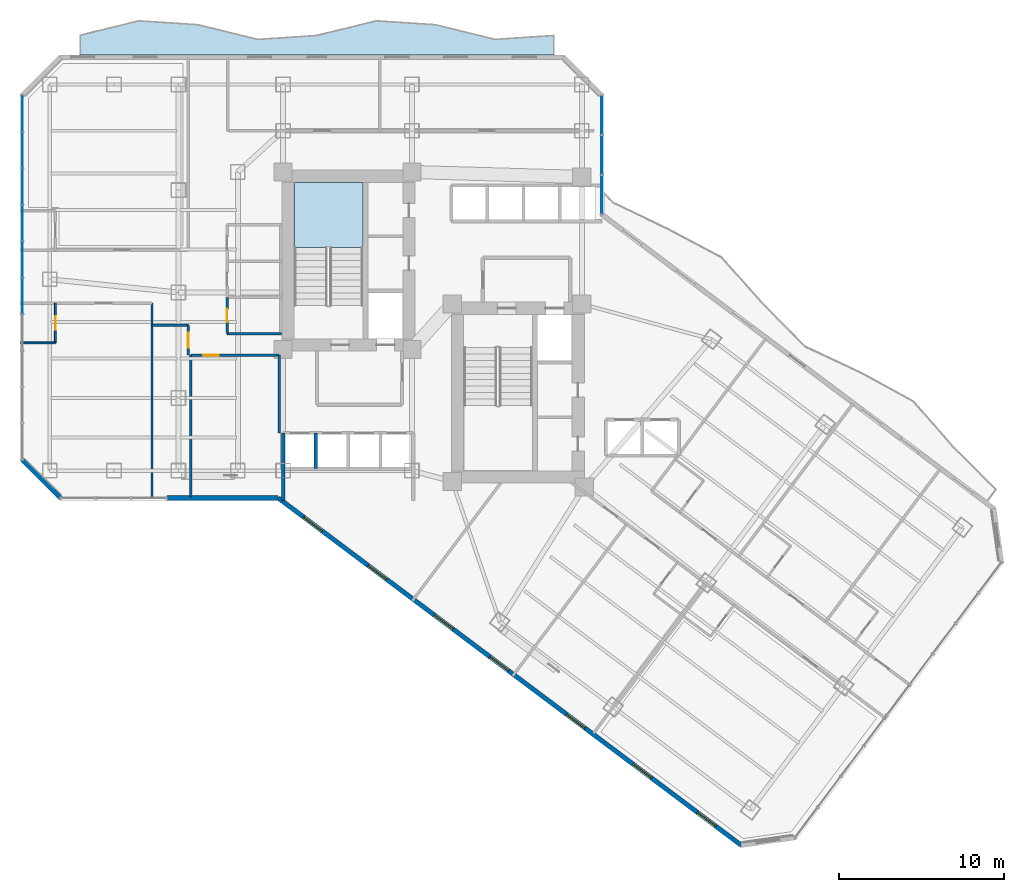
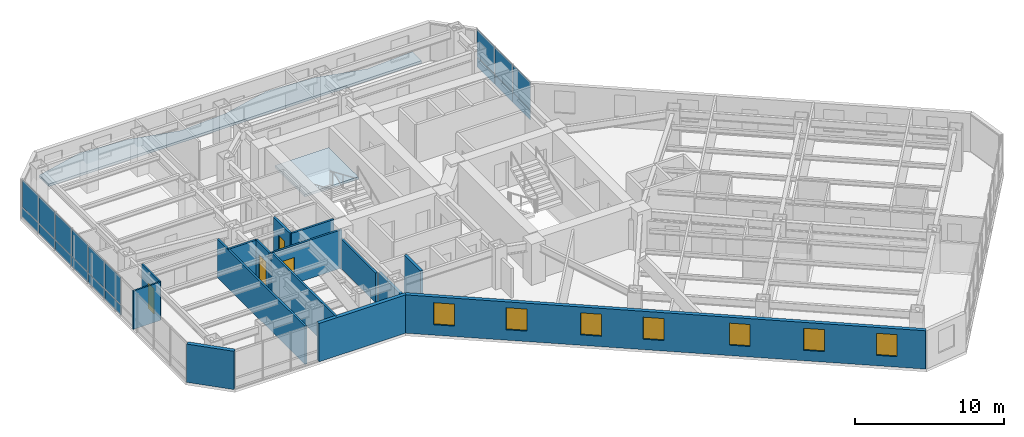
# One storey, part 23 of 31: 18 plates, 15 walls, 7 windows, 4 doors, 2 slabs, 11 openings, 3 elements without a shape of their own.
"""IFC4 building model written with IfcOpenShell, lengths in metres."""

from ifc_helpers import new_model, si_unit, direction, frame, frame_2d, origin, origin_2d, place, context, subcontext, project, spatial, polyline, rectangle, outline, extrude, material, layer, layer_set, type_object, element, fill, aggregate, save


model = new_model("IFC4")

# Units and contexts
model_context = context("Model", 3, precision=1e-05, world=origin(), true_north=direction((0.0, 1.0)))
body_context = subcontext(model_context, "Body", "Model", "MODEL_VIEW")
ifc_project = project(units=[si_unit("LENGTHUNIT", "METRE"), si_unit("AREAUNIT", "SQUARE_METRE"), si_unit("VOLUMEUNIT", "CUBIC_METRE"), si_unit("PLANEANGLEUNIT", "RADIAN"), si_unit("MASSUNIT", "GRAM", prefix="KILO")], contexts=[model_context])

# Site, building, storey
site_placement = place(None, origin())
site = spatial("IfcSite", under=ifc_project, at=site_placement, CompositionType="ELEMENT")
building_placement = place(site_placement, origin())
building = spatial("IfcBuilding", under=site, at=building_placement, Name="Hatsunagi Terrace Concourse", CompositionType="ELEMENT")
storey_placement = place(building_placement, frame((0.0, 0.0, 77.949951171875)))
storey = spatial("IfcBuildingStorey", under=building, at=storey_placement, Name="L20", CompositionType="ELEMENT", Elevation=77.949951171875)

# Curtain wall, plates
ifc_material_1 = material(Name="Anodised Aluminium Alloy 6063-T5", Category="aluminium")
ifc_layer_1 = layer(ifc_material_1, 0.199951171875)
ifc_layer_set_1 = layer_set([ifc_layer_1], Name="HotelFacade_CW02")
curtain_wall_type = type_object("IfcCurtainWallType", Name="HotelFacade_CW02", PredefinedType="NOTDEFINED", material=ifc_layer_set_1)
curtain_wall_1_placement = place(storey_placement, origin())
curtain_wall_1 = element("IfcCurtainWall", 1, at=curtain_wall_1_placement, inside=storey, type_object=curtain_wall_type, Name="Unitised Curtain Wall CW-02 CW-L20-09", PredefinedType="NOTDEFINED")
ifc_material_2 = material(Name="Warm Terracotta Ceramic Spandrel Panel", Category="masonry")
ifc_layer_2 = layer(ifc_material_2, 0.031982421875)
ifc_layer_set_2 = layer_set([ifc_layer_2], Name="CurtainWallSpandrelPanel_32")
plate_type_1 = type_object("IfcPlateType", Name="CurtainWallSpandrelPanel_32", PredefinedType="SHEET", material=ifc_layer_set_2)
plate_1_placement = place(storey_placement, frame((9.739990234375, 35.7958984375, 0.030029296875), z_axis=(0.0, 0.0, 1.0), x_axis=(0.0, 1.0, 0.0)))
plate_1 = element("IfcPlate", 2, at=plate_1_placement, type_object=plate_type_1, Name="Terracotta Spandrel Panel SPN-01", PredefinedType="SHEET", context=body_context, shape_type="SweptSolid", body=[
    extrude(rectangle(XDim=2.153076171875, YDim=0.031982421875, at=origin_2d()), origin(), (0.0, 0.0, 1.0), 0.7900390625),
])
plate_2_placement = place(storey_placement, frame((9.739990234375, 38.00390625, 0.030029296875), z_axis=(0.0, 0.0, 1.0), x_axis=(0.0, 1.0, 0.0)))
plate_2 = element("IfcPlate", 3, at=plate_2_placement, type_object=plate_type_1, Name="Terracotta Spandrel Panel SPN-01", PredefinedType="SHEET", context=body_context, shape_type="SweptSolid", body=[
    extrude(rectangle(XDim=2.153076171875, YDim=0.031982421875, at=origin_2d()), origin(), (0.0, 0.0, 1.0), 0.7900390625),
])
plate_3_placement = place(storey_placement, frame((9.739990234375, 40.212890625, 0.030029296875), z_axis=(0.0, 0.0, 1.0), x_axis=(0.0, 1.0, 0.0)))
plate_3 = element("IfcPlate", 4, at=plate_3_placement, type_object=plate_type_1, Name="Terracotta Spandrel Panel SPN-01", PredefinedType="SHEET", context=body_context, shape_type="SweptSolid", body=[
    extrude(rectangle(XDim=2.153076171875, YDim=0.031982421875, at=origin_2d()), origin(), (0.0, 0.0, 1.0), 0.7900390625),
])
plate_4_placement = place(storey_placement, frame((9.739990234375, 42.4208984375, 0.030029296875), z_axis=(0.0, 0.0, 1.0), x_axis=(0.0, 1.0, 0.0)))
plate_4 = element("IfcPlate", 5, at=plate_4_placement, type_object=plate_type_1, Name="Terracotta Spandrel Panel SPN-01", PredefinedType="SHEET", context=body_context, shape_type="SweptSolid", body=[
    extrude(rectangle(XDim=2.153076171875, YDim=0.031982421875, at=origin_2d()), origin(), (0.0, 0.0, 1.0), 0.7900390625),
])
plate_5_placement = place(storey_placement, frame((9.739990234375, 44.62890625, 0.030029296875), z_axis=(0.0, 0.0, 1.0), x_axis=(0.0, 1.0, 0.0)))
plate_5 = element("IfcPlate", 6, at=plate_5_placement, type_object=plate_type_1, Name="Terracotta Spandrel Panel SPN-01", PredefinedType="SHEET", context=body_context, shape_type="SweptSolid", body=[
    extrude(rectangle(XDim=2.153076171875, YDim=0.031982421875, at=origin_2d()), origin(), (0.0, 0.0, 1.0), 0.7900390625),
])
plate_6_placement = place(storey_placement, frame((9.739990234375, 46.837890625, 0.030029296875), z_axis=(0.0, 0.0, 1.0), x_axis=(0.0, 1.0, 0.0)))
plate_6 = element("IfcPlate", 7, at=plate_6_placement, type_object=plate_type_1, Name="Terracotta Spandrel Panel SPN-01", PredefinedType="SHEET", context=body_context, shape_type="SweptSolid", body=[
    extrude(rectangle(XDim=2.153076171875, YDim=0.031982421875, at=origin_2d()), origin(), (0.0, 0.0, 1.0), 0.7900390625),
])

curtain_wall_2_placement = place(storey_placement, origin())
curtain_wall_2 = element("IfcCurtainWall", 8, at=curtain_wall_2_placement, inside=storey, type_object=curtain_wall_type, Name="Unitised Curtain Wall CW-02 CW-L20-13", PredefinedType="NOTDEFINED")
plate_7_placement = place(storey_placement, frame((44.860107421875, 46.739990234375, 0.030029296875), z_axis=(0.0, 0.0, 1.0), x_axis=(0.0, -1.0, 0.0)))
plate_7 = element("IfcPlate", 9, at=plate_7_placement, type_object=plate_type_1, Name="Terracotta Spandrel Panel SPN-01", PredefinedType="SHEET", context=body_context, shape_type="SweptSolid", body=[
    extrude(rectangle(XDim=2.34912109375, YDim=0.031982421875, at=origin_2d()), origin(), (0.0, 0.0, 1.0), 0.7900390625),
])
plate_8_placement = place(storey_placement, frame((44.860107421875, 44.3359375, 0.030029296875), z_axis=(0.0, 0.0, 1.0), x_axis=(0.0, -1.0, 0.0)))
plate_8 = element("IfcPlate", 10, at=plate_8_placement, type_object=plate_type_1, Name="Terracotta Spandrel Panel SPN-01", PredefinedType="SHEET", context=body_context, shape_type="SweptSolid", body=[
    extrude(rectangle(XDim=2.34912109375, YDim=0.031982421875, at=origin_2d()), origin(), (0.0, 0.0, 1.0), 0.7900390625),
])
plate_9_placement = place(storey_placement, frame((44.860107421875, 41.931884765625, 0.030029296875), z_axis=(0.0, 0.0, 1.0), x_axis=(0.0, -1.0, 0.0)))
plate_9 = element("IfcPlate", 11, at=plate_9_placement, type_object=plate_type_1, Name="Terracotta Spandrel Panel SPN-01", PredefinedType="SHEET", context=body_context, shape_type="SweptSolid", body=[
    extrude(rectangle(XDim=2.34912109375, YDim=0.031982421875, at=origin_2d()), origin(), (0.0, 0.0, 1.0), 0.7900390625),
])

# Plate
ifc_material_3 = material(Name="Low-E Double Insulating Glass 28mm", Category="glass")
ifc_layer_3 = layer(ifc_material_3, 0.028076171875)
ifc_layer_set_3 = layer_set([ifc_layer_3], Name="CurtainWallVisionGlass_28")
plate_type_2 = type_object("IfcPlateType", Name="CurtainWallVisionGlass_28", PredefinedType="CURTAIN_PANEL", material=ifc_layer_set_3)
plate_10_placement = place(storey_placement, frame((9.739990234375, 35.7958984375, 0.8798828125), z_axis=(0.0, 0.0, 1.0), x_axis=(0.0, 1.0, 0.0)))
plate_10 = element("IfcPlate", 12, at=plate_10_placement, type_object=plate_type_2, Name="Low-E Vision Glass Panel GLZ-01", PredefinedType="CURTAIN_PANEL", context=body_context, shape_type="SweptSolid", body=[
    extrude(rectangle(XDim=2.153076171875, YDim=0.028076171875, at=origin_2d()), origin(), (0.0, 0.0, 1.0), 2.219970703125),
])

plate_11_placement = place(storey_placement, frame((9.739990234375, 38.00390625, 0.8798828125), z_axis=(0.0, 0.0, 1.0), x_axis=(0.0, 1.0, 0.0)))
plate_11 = element("IfcPlate", 13, at=plate_11_placement, type_object=plate_type_2, Name="Low-E Vision Glass Panel GLZ-01", PredefinedType="CURTAIN_PANEL", context=body_context, shape_type="SweptSolid", body=[
    extrude(rectangle(XDim=2.153076171875, YDim=0.028076171875, at=origin_2d()), origin(), (0.0, 0.0, 1.0), 2.219970703125),
])

plate_12_placement = place(storey_placement, frame((9.739990234375, 40.212890625, 0.8798828125), z_axis=(0.0, 0.0, 1.0), x_axis=(0.0, 1.0, 0.0)))
plate_12 = element("IfcPlate", 14, at=plate_12_placement, type_object=plate_type_2, Name="Low-E Vision Glass Panel GLZ-01", PredefinedType="CURTAIN_PANEL", context=body_context, shape_type="SweptSolid", body=[
    extrude(rectangle(XDim=2.153076171875, YDim=0.028076171875, at=origin_2d()), origin(), (0.0, 0.0, 1.0), 2.219970703125),
])

plate_13_placement = place(storey_placement, frame((9.739990234375, 42.4208984375, 0.8798828125), z_axis=(0.0, 0.0, 1.0), x_axis=(0.0, 1.0, 0.0)))
plate_13 = element("IfcPlate", 15, at=plate_13_placement, type_object=plate_type_2, Name="Low-E Vision Glass Panel GLZ-01", PredefinedType="CURTAIN_PANEL", context=body_context, shape_type="SweptSolid", body=[
    extrude(rectangle(XDim=2.153076171875, YDim=0.028076171875, at=origin_2d()), origin(), (0.0, 0.0, 1.0), 2.219970703125),
])

plate_14_placement = place(storey_placement, frame((9.739990234375, 44.62890625, 0.8798828125), z_axis=(0.0, 0.0, 1.0), x_axis=(0.0, 1.0, 0.0)))
plate_14 = element("IfcPlate", 16, at=plate_14_placement, type_object=plate_type_2, Name="Low-E Vision Glass Panel GLZ-01", PredefinedType="CURTAIN_PANEL", context=body_context, shape_type="SweptSolid", body=[
    extrude(rectangle(XDim=2.153076171875, YDim=0.028076171875, at=origin_2d()), origin(), (0.0, 0.0, 1.0), 2.219970703125),
])

plate_15_placement = place(storey_placement, frame((9.739990234375, 46.837890625, 0.8798828125), z_axis=(0.0, 0.0, 1.0), x_axis=(0.0, 1.0, 0.0)))
plate_15 = element("IfcPlate", 17, at=plate_15_placement, type_object=plate_type_2, Name="Low-E Vision Glass Panel GLZ-01", PredefinedType="CURTAIN_PANEL", context=body_context, shape_type="SweptSolid", body=[
    extrude(rectangle(XDim=2.153076171875, YDim=0.028076171875, at=origin_2d()), origin(), (0.0, 0.0, 1.0), 2.219970703125),
])

aggregate(curtain_wall_1, [plate_1, plate_10, plate_2, plate_11, plate_3, plate_12, plate_4, plate_13, plate_5, plate_14, plate_6, plate_15])

plate_16_placement = place(storey_placement, frame((44.860107421875, 46.739990234375, 0.8798828125), z_axis=(0.0, 0.0, 1.0), x_axis=(0.0, -1.0, 0.0)))
plate_16 = element("IfcPlate", 18, at=plate_16_placement, type_object=plate_type_2, Name="Low-E Vision Glass Panel GLZ-01", PredefinedType="CURTAIN_PANEL", context=body_context, shape_type="SweptSolid", body=[
    extrude(rectangle(XDim=2.34912109375, YDim=0.028076171875, at=origin_2d()), origin(), (0.0, 0.0, 1.0), 2.219970703125),
])

plate_17_placement = place(storey_placement, frame((44.860107421875, 44.3359375, 0.8798828125), z_axis=(0.0, 0.0, 1.0), x_axis=(0.0, -1.0, 0.0)))
plate_17 = element("IfcPlate", 19, at=plate_17_placement, type_object=plate_type_2, Name="Low-E Vision Glass Panel GLZ-01", PredefinedType="CURTAIN_PANEL", context=body_context, shape_type="SweptSolid", body=[
    extrude(rectangle(XDim=2.34912109375, YDim=0.028076171875, at=origin_2d()), origin(), (0.0, 0.0, 1.0), 2.219970703125),
])

plate_18_placement = place(storey_placement, frame((44.860107421875, 41.931884765625, 0.8798828125), z_axis=(0.0, 0.0, 1.0), x_axis=(0.0, -1.0, 0.0)))
plate_18 = element("IfcPlate", 20, at=plate_18_placement, type_object=plate_type_2, Name="Low-E Vision Glass Panel GLZ-01", PredefinedType="CURTAIN_PANEL", context=body_context, shape_type="SweptSolid", body=[
    extrude(rectangle(XDim=2.34912109375, YDim=0.028076171875, at=origin_2d()), origin(), (0.0, 0.0, 1.0), 2.219970703125),
])

aggregate(curtain_wall_2, [plate_7, plate_16, plate_8, plate_17, plate_9, plate_18])

# Stair, slab
ifc_material_4 = material(Name="Concrete Fc42", Category="concrete")
stair_type = type_object("IfcStairType", Name="DoglegExitStair_Tower2000_20R_167", PredefinedType="HALF_TURN_STAIR", material=ifc_material_4)
stair_placement = place(storey_placement, origin())
stair = element("IfcStair", 21, at=stair_placement, inside=storey, type_object=stair_type, Name="L20 Core A Protected Exit Stair ST-A", PredefinedType="HALF_TURN_STAIR")
ifc_material_5 = material(Name="Concrete Fc42", Category="concrete")
ifc_layer_4 = layer(ifc_material_5, 0.199951171875)
ifc_layer_set_4 = layer_set([ifc_layer_4], Name="DoglegStairLanding_Tower2000")
slab_type_1 = type_object("IfcSlabType", Name="DoglegStairLanding_Tower2000", PredefinedType="LANDING", material=ifc_layer_set_4)
slab_1_placement = place(storey_placement, frame((0.0, 0.0, 1.47509765625)))
slab_1 = element("IfcSlab", 22, at=slab_1_placement, type_object=slab_type_1, Name="ST-A landing 1", PredefinedType="LANDING", context=body_context, shape_type="SweptSolid", body=[
    extrude(outline(polyline([(30.3798828125, 38.7099609375), (30.3798828125, 42.659912109375), (26.22998046875, 42.659912109375), (26.22998046875, 38.7099609375), (30.3798828125, 38.7099609375)])), origin(), (0.0, 0.0, 1.0), 0.199951171875),
])
aggregate(stair, [slab_1])

# Slab
ifc_material_6 = material(Name="Concrete Fc42", Category="concrete")
ifc_layer_5 = layer(ifc_material_6, 0.199951171875)
ifc_layer_set_5 = layer_set([ifc_layer_5], Name="EngawaBalconySlab_Fc42_200")
slab_type_2 = type_object("IfcSlabType", Name="EngawaBalconySlab_Fc42_200", PredefinedType="FLOOR", material=ifc_layer_set_5)
slab_2_placement = place(storey_placement, frame((0.0, 0.0, -0.199951171875)))
element("IfcSlab", 23, at=slab_2_placement, inside=storey, type_object=slab_type_2, Name="Engawa Balcony Slab BAL-L20-BN", PredefinedType="FLOOR", context=body_context, shape_type="SweptSolid", body=[
    extrude(outline(polyline([(13.199951171875, 51.625), (13.199951171875, 50.39990234375), (42.0, 50.39990234375), (42.0, 51.625), (38.39990234375, 51.386962890625), (34.800048828125, 52.27490234375), (31.199951171875, 52.512939453125), (27.60009765625, 51.625), (24.0, 51.386962890625), (20.39990234375, 52.27490234375), (16.800048828125, 52.512939453125), (13.199951171875, 51.625)])), origin(), (0.0, 0.0, 1.0), 0.199951171875),
])

# Wall, opening, door
ifc_material_7 = material(Name="Acoustic mineral board", Category="gypsum")
ifc_layer_6 = layer(ifc_material_7, 0.1201171875)
ifc_layer_set_6 = layer_set([ifc_layer_6], Name="PartitionWall_EI30_120")
wall_type_1 = type_object("IfcWallType", Name="PartitionWall_EI30_120", PredefinedType="PARTITIONING", material=ifc_layer_set_6)
wall_1_placement = place(storey_placement, frame((11.75, 32.949951171875, 0.0), z_axis=(0.0, 0.0, 1.0), x_axis=(0.0, 1.0, 0.0)))
wall_1 = element("IfcWall", 24, at=wall_1_placement, inside=storey, type_object=wall_type_1, Name="Interior Partition IW-L20-054", PredefinedType="PARTITIONING", context=body_context, shape_type="SweptSolid", body=[
    extrude(rectangle(XDim=2.400146484375, YDim=0.1201171875, at=frame_2d((1.2001953125, 0.0))), origin(), (0.0, 0.0, 1.0), 3.130126953125),
])
opening_1_placement = place(wall_1_placement, frame((0.800048828125, 0.0, 0.0)))
opening_1 = element("IfcOpeningElement", 25, at=opening_1_placement, cuts=wall_1, Name="Opening DR-080", PredefinedType="OPENING", context=body_context, shape_type="SweptSolid", body=[
    extrude(rectangle(XDim=0.800048828125, YDim=2.06005859375, at=frame_2d((0.39990234375, 1.030029296875))), frame((0.0, 0.070068359375, 0.0), z_axis=(0.0, -1.0, 0.0), x_axis=(1.0, 0.0, 0.0)), (0.0, 0.0, 1.0), 0.14013671875),
])
ifc_material_8 = material(Name="Hardwood timber", Category="wood")
door_type_1 = type_object("IfcDoorType", Name="BathroomDoor_800", OperationType="NOTDEFINED", PredefinedType="DOOR", material=ifc_material_8)
door_1_placement = place(opening_1_placement, origin())
door_1 = element("IfcDoor", 26, at=door_1_placement, inside=storey, type_object=door_type_1, Name="En-Suite Bathroom L20-S1 Door", OperationType="SINGLE_SWING_RIGHT", OverallHeight=2.06005859375, OverallWidth=0.800048828125, PredefinedType="DOOR", context=body_context, shape_type="SweptSolid", body=[
    extrude(rectangle(XDim=0.800048828125, YDim=2.06005859375, at=frame_2d((0.39990234375, 1.030029296875))), frame((0.0, 0.02490234375, 0.0), z_axis=(0.0, -1.0, 0.0), x_axis=(1.0, 0.0, 0.0)), (0.0, 0.0, 1.0), 0.050048828125),
])
fill(opening_1, door_1)

# Walls
wall_2_placement = place(storey_placement, frame((9.639892578125, 32.949951171875, 0.0), z_axis=(0.0, 0.0, 1.0), x_axis=(1.0, 0.0, 0.0)))
element("IfcWall", 27, at=wall_2_placement, inside=storey, type_object=wall_type_1, Name="Interior Partition IW-L20-055", PredefinedType="PARTITIONING", context=body_context, shape_type="SweptSolid", body=[
    extrude(rectangle(XDim=2.110107421875, YDim=0.1201171875, at=frame_2d((1.05517578125, 0.0))), origin(), (0.0, 0.0, 1.0), 3.130126953125),
])
ifc_material_9 = material(Name="Acoustic mineral board", Category="gypsum")
ifc_layer_7 = layer(ifc_material_9, 0.14990234375)
ifc_layer_set_7 = layer_set([ifc_layer_7], Name="PartitionWall_EI60_150")
wall_type_2 = type_object("IfcWallType", Name="PartitionWall_EI60_150", PredefinedType="PARTITIONING", material=ifc_layer_set_7)
wall_3_placement = place(storey_placement, frame((22.14990234375, 33.5, 0.0), z_axis=(0.0, 0.0, 1.0), x_axis=(1.0, 0.0, 0.0)))
element("IfcWall", 28, at=wall_3_placement, inside=storey, type_object=wall_type_2, Name="Interior Partition IW-L20-029", PredefinedType="PARTITIONING", context=body_context, shape_type="SweptSolid", body=[
    extrude(rectangle(XDim=3.300048828125, YDim=0.14990234375, at=frame_2d((1.64990234375, 0.0))), origin(), (0.0, 0.0, 1.0), 3.130126953125),
])

# Wall, opening, door
wall_4_placement = place(storey_placement, frame((22.14990234375, 33.5, 0.0), z_axis=(0.0, 0.0, 1.0), x_axis=(0.0, 1.0, 0.0)))
wall_4 = element("IfcWall", 29, at=wall_4_placement, inside=storey, type_object=wall_type_2, Name="Interior Partition IW-L20-034", PredefinedType="PARTITIONING", context=body_context, shape_type="SweptSolid", body=[
    extrude(rectangle(XDim=2.199951171875, YDim=0.14990234375, at=frame_2d((1.10009765625, 0.0))), origin(), (0.0, 0.0, 1.0), 3.130126953125),
])
opening_2_placement = place(wall_4_placement, frame((0.699951171875, 0.0, 0.0)))
opening_2 = element("IfcOpeningElement", 30, at=opening_2_placement, cuts=wall_4, Name="Opening DR-080", PredefinedType="OPENING", context=body_context, shape_type="SweptSolid", body=[
    extrude(rectangle(XDim=0.800048828125, YDim=2.06005859375, at=frame_2d((0.39990234375, 1.030029296875))), frame((0.0, 0.0849609375, 0.0), z_axis=(0.0, -1.0, 0.0), x_axis=(1.0, 0.0, 0.0)), (0.0, 0.0, 1.0), 0.169921875),
])
door_2_placement = place(opening_2_placement, origin())
door_2 = element("IfcDoor", 31, at=door_2_placement, inside=storey, type_object=door_type_1, Name="Accessible WC Door L20", OperationType="SINGLE_SWING_RIGHT", OverallHeight=2.06005859375, OverallWidth=0.800048828125, PredefinedType="DOOR", context=body_context, shape_type="SweptSolid", body=[
    extrude(rectangle(XDim=0.800048828125, YDim=2.06005859375, at=frame_2d((0.39990234375, 1.030029296875))), frame((0.0, 0.02490234375, 0.0), z_axis=(0.0, -1.0, 0.0), x_axis=(1.0, 0.0, 0.0)), (0.0, 0.0, 1.0), 0.050048828125),
])
fill(opening_2, door_2)

wall_5_placement = place(storey_placement, frame((19.949951171875, 32.199951171875, 0.0), z_axis=(0.0, 0.0, 1.0), x_axis=(1.0, 0.0, 0.0)))
wall_5 = element("IfcWall", 32, at=wall_5_placement, inside=storey, type_object=wall_type_2, Name="Interior Partition IW-L20-044", PredefinedType="PARTITIONING", context=body_context, shape_type="SweptSolid", body=[
    extrude(rectangle(XDim=5.35009765625, YDim=0.14990234375, at=frame_2d((2.675048828125, 0.0))), origin(), (0.0, 0.0, 1.0), 3.130126953125),
])
opening_3_placement = place(wall_5_placement, frame((0.743896484375, 0.0, 0.0)))
opening_3 = element("IfcOpeningElement", 33, at=opening_3_placement, cuts=wall_5, Name="Opening DR-095", PredefinedType="OPENING", context=body_context, shape_type="SweptSolid", body=[
    extrude(rectangle(XDim=0.949951171875, YDim=2.14990234375, at=frame_2d((0.47509765625, 1.074951171875))), frame((0.0, 0.0849609375, 0.0), z_axis=(0.0, -1.0, 0.0), x_axis=(1.0, 0.0, 0.0)), (0.0, 0.0, 1.0), 0.169921875),
])
ifc_material_10 = material(Name="Hardwood timber", Category="wood")
door_type_2 = type_object("IfcDoorType", Name="InteriorSuiteDoor_EI30_950", OperationType="NOTDEFINED", PredefinedType="DOOR", material=ifc_material_10)
door_3_placement = place(opening_3_placement, origin())
door_3 = element("IfcDoor", 34, at=door_3_placement, inside=storey, type_object=door_type_2, Name="Hotel Wellness Spa L20-HSPA Door", OperationType="SINGLE_SWING_LEFT", OverallHeight=2.14990234375, OverallWidth=0.949951171875, PredefinedType="DOOR", context=body_context, shape_type="SweptSolid", body=[
    extrude(rectangle(XDim=0.949951171875, YDim=2.14990234375, at=frame_2d((0.47509765625, 1.074951171875))), frame((0.0, 0.02490234375, 0.0), z_axis=(0.0, -1.0, 0.0), x_axis=(1.0, 0.0, 0.0)), (0.0, 0.0, 1.0), 0.050048828125),
])
fill(opening_3, door_3)

# Walls
wall_6_placement = place(storey_placement, frame((19.949951171875, 23.60009765625, 0.0), z_axis=(0.0, 0.0, 1.0), x_axis=(0.0, 1.0, 0.0)))
element("IfcWall", 35, at=wall_6_placement, inside=storey, type_object=wall_type_2, Name="Interior Partition IW-L20-045", PredefinedType="PARTITIONING", context=body_context, shape_type="SweptSolid", body=[
    extrude(rectangle(XDim=8.599853515625, YDim=0.14990234375, at=frame_2d((4.2998046875, 0.0))), origin(), (0.0, 0.0, 1.0), 3.130126953125),
])
wall_7_placement = place(storey_placement, frame((25.300048828125, 27.47998046875, 0.0), z_axis=(0.0, 0.0, 1.0), x_axis=(0.0, 1.0, 0.0)))
element("IfcWall", 36, at=wall_7_placement, inside=storey, type_object=wall_type_2, Name="Interior Partition IW-L20-046", PredefinedType="PARTITIONING", context=body_context, shape_type="SweptSolid", body=[
    extrude(rectangle(XDim=4.719970703125, YDim=0.14990234375, at=frame_2d((2.35986328125, 0.0))), origin(), (0.0, 0.0, 1.0), 2.425048828125),
])
wall_8_placement = place(storey_placement, frame((17.60009765625, 23.60009765625, 0.0), z_axis=(0.0, 0.0, 1.0), x_axis=(0.0, 1.0, 0.0)))
element("IfcWall", 37, at=wall_8_placement, inside=storey, type_object=wall_type_2, Name="Interior Partition IW-L20-056", PredefinedType="PARTITIONING", context=body_context, shape_type="SweptSolid", body=[
    extrude(rectangle(XDim=11.75, YDim=0.14990234375, at=frame_2d((5.875, 0.0))), origin(), (0.0, 0.0, 1.0), 3.130126953125),
])
wall_9_placement = place(storey_placement, frame((17.60009765625, 34.0, 0.0), z_axis=(0.0, 0.0, 1.0), x_axis=(1.0, 0.0, 0.0)))
element("IfcWall", 38, at=wall_9_placement, inside=storey, type_object=wall_type_2, Name="Interior Partition IW-L20-057", PredefinedType="PARTITIONING", context=body_context, shape_type="SweptSolid", body=[
    extrude(rectangle(XDim=2.199951171875, YDim=0.14990234375, at=frame_2d((1.10009765625, 0.0))), origin(), (0.0, 0.0, 1.0), 3.130126953125),
])

# Wall, opening, door
wall_10_placement = place(storey_placement, frame((19.800048828125, 32.199951171875, 0.0), z_axis=(0.0, 0.0, 1.0), x_axis=(0.0, 1.0, 0.0)))
wall_10 = element("IfcWall", 39, at=wall_10_placement, inside=storey, type_object=wall_type_2, Name="Interior Partition IW-L20-058", PredefinedType="PARTITIONING", context=body_context, shape_type="SweptSolid", body=[
    extrude(rectangle(XDim=1.800048828125, YDim=0.14990234375, at=frame_2d((0.89990234375, 0.0))), origin(), (0.0, 0.0, 1.0), 3.130126953125),
])
opening_4_placement = place(wall_10_placement, frame((0.449951171875, 0.0, 0.0)))
opening_4 = element("IfcOpeningElement", 40, at=opening_4_placement, cuts=wall_10, Name="Opening DR-090", PredefinedType="OPENING", context=body_context, shape_type="SweptSolid", body=[
    extrude(rectangle(XDim=0.89990234375, YDim=2.14990234375, at=frame_2d((0.449951171875, 1.074951171875))), frame((0.0, 0.0849609375, 0.0), z_axis=(0.0, -1.0, 0.0), x_axis=(1.0, 0.0, 0.0)), (0.0, 0.0, 1.0), 0.169921875),
])
ifc_material_11 = material(Name="Hardwood timber", Category="wood")
door_type_3 = type_object("IfcDoorType", Name="CrownPavilionDoor_EI30_900", OperationType="NOTDEFINED", PredefinedType="DOOR", material=ifc_material_11)
door_4_placement = place(opening_4_placement, origin())
door_4 = element("IfcDoor", 41, at=door_4_placement, inside=storey, type_object=door_type_3, Name="Catering Pantry L20-HPAN Door", OperationType="SINGLE_SWING_RIGHT", OverallHeight=2.14990234375, OverallWidth=0.89990234375, PredefinedType="DOOR", context=body_context, shape_type="SweptSolid", body=[
    extrude(rectangle(XDim=0.89990234375, YDim=2.14990234375, at=frame_2d((0.449951171875, 1.074951171875))), frame((0.0, 0.02490234375, 0.0), z_axis=(0.0, -1.0, 0.0), x_axis=(1.0, 0.0, 0.0)), (0.0, 0.0, 1.0), 0.050048828125),
])
fill(opening_4, door_4)

# Walls
ifc_material_12 = material(Name="Acoustic mineral board", Category="gypsum")
ifc_layer_8 = layer(ifc_material_12, 0.199951171875)
ifc_layer_set_8 = layer_set([ifc_layer_8], Name="ShaftWall_EI120_200")
wall_type_3 = type_object("IfcWallType", Name="ShaftWall_EI120_200", PredefinedType="STANDARD", material=ifc_layer_set_8)
wall_11_placement = place(storey_placement, frame((25.550048828125, 23.39990234375, 0.0), z_axis=(0.0, 0.0, 1.0), x_axis=(0.0, 1.0, 0.0)))
element("IfcWall", 42, at=wall_11_placement, inside=storey, type_object=wall_type_3, Name="Interior Partition IW-L20-011", PredefinedType="STANDARD", context=body_context, shape_type="SweptSolid", body=[
    extrude(rectangle(XDim=4.080078125, YDim=0.199951171875, at=frame_2d((2.0400390625, 0.0))), origin(), (0.0, 0.0, 1.0), 2.425048828125),
])
wall_12_placement = place(storey_placement, frame((27.530029296875, 25.320068359375, 0.0), z_axis=(0.0, 0.0, 1.0), x_axis=(0.0, 1.0, 0.0)))
element("IfcWall", 43, at=wall_12_placement, inside=storey, type_object=wall_type_3, Name="Interior Partition IW-L20-014", PredefinedType="STANDARD", context=body_context, shape_type="SweptSolid", body=[
    extrude(rectangle(XDim=2.159912109375, YDim=0.199951171875, at=frame_2d((1.080078125, 0.0))), origin(), (0.0, 0.0, 1.0), 3.130126953125),
])

# Wall, openings, windows
ifc_material_13 = material(Name="Autoclaved Lightweight Concrete and Terracotta Cladding", Category="masonry")
ifc_layer_9 = layer(ifc_material_13, 0.280029296875)
ifc_layer_set_9 = layer_set([ifc_layer_9], Name="TerracottaSpandrelWall_280")
wall_type_4 = type_object("IfcWallType", Name="TerracottaSpandrelWall_280", PredefinedType="STANDARD", material=ifc_layer_set_9)
wall_13_placement = place(storey_placement, frame((53.318115234375, 2.487060546875, 0.0), z_axis=(0.0, 0.0, 1.0), x_axis=(-0.800004174678, 0.599994433723, 0.0)))
wall_13 = element("IfcWall", 44, at=wall_13_placement, inside=storey, type_object=wall_type_4, Name="Exterior Spandrel Wall EW-L20-05", PredefinedType="STANDARD", context=body_context, shape_type="SweptSolid", body=[
    extrude(rectangle(XDim=35.088623046875, YDim=0.280029296875, at=frame_2d((17.54443359375, 0.0))), origin(), (0.0, 0.0, 1.0), 3.130126953125),
])
opening_5_placement = place(wall_13_placement, frame((1.930908203125, 0.0, 0.85009765625)))
opening_5 = element("IfcOpeningElement", 45, at=opening_5_placement, cuts=wall_13, Name="Opening WIN-02", PredefinedType="OPENING", context=body_context, shape_type="SweptSolid", body=[
    extrude(rectangle(XDim=1.39990234375, YDim=1.800048828125, at=frame_2d((0.699951171875, 0.89990234375))), frame((0.0, 0.14990234375, 0.0), z_axis=(0.0, -1.0, 0.0), x_axis=(1.0, 0.0, 0.0)), (0.0, 0.0, 1.0), 0.300048828125),
])
opening_6_placement = place(wall_13_placement, frame((6.819091796875, 0.0, 0.85009765625)))
opening_6 = element("IfcOpeningElement", 46, at=opening_6_placement, cuts=wall_13, Name="Opening WIN-02", PredefinedType="OPENING", context=body_context, shape_type="SweptSolid", body=[
    extrude(rectangle(XDim=1.39990234375, YDim=1.800048828125, at=frame_2d((0.699951171875, 0.89990234375))), frame((0.0, 0.14990234375, 0.0), z_axis=(0.0, -1.0, 0.0), x_axis=(1.0, 0.0, 0.0)), (0.0, 0.0, 1.0), 0.300048828125),
])
opening_7_placement = place(wall_13_placement, frame((11.83203125, 0.0, 0.85009765625)))
opening_7 = element("IfcOpeningElement", 47, at=opening_7_placement, cuts=wall_13, Name="Opening WIN-02", PredefinedType="OPENING", context=body_context, shape_type="SweptSolid", body=[
    extrude(rectangle(XDim=1.39990234375, YDim=1.800048828125, at=frame_2d((0.699951171875, 0.89990234375))), frame((0.0, 0.14990234375, 0.0), z_axis=(0.0, -1.0, 0.0), x_axis=(1.0, 0.0, 0.0)), (0.0, 0.0, 1.0), 0.300048828125),
])
opening_8_placement = place(wall_13_placement, frame((17.64697265625, 0.0, 0.85009765625)))
opening_8 = element("IfcOpeningElement", 48, at=opening_8_placement, cuts=wall_13, Name="Opening WIN-02", PredefinedType="OPENING", context=body_context, shape_type="SweptSolid", body=[
    extrude(rectangle(XDim=1.39990234375, YDim=1.800048828125, at=frame_2d((0.699951171875, 0.89990234375))), frame((0.0, 0.14990234375, 0.0), z_axis=(0.0, -1.0, 0.0), x_axis=(1.0, 0.0, 0.0)), (0.0, 0.0, 1.0), 0.300048828125),
])
opening_9_placement = place(wall_13_placement, frame((21.85693359375, 0.0, 0.85009765625)))
opening_9 = element("IfcOpeningElement", 49, at=opening_9_placement, cuts=wall_13, Name="Opening WIN-02", PredefinedType="OPENING", context=body_context, shape_type="SweptSolid", body=[
    extrude(rectangle(XDim=1.39990234375, YDim=1.800048828125, at=frame_2d((0.699951171875, 0.89990234375))), frame((0.0, 0.14990234375, 0.0), z_axis=(0.0, -1.0, 0.0), x_axis=(1.0, 0.0, 0.0)), (0.0, 0.0, 1.0), 0.300048828125),
])
opening_10_placement = place(wall_13_placement, frame((26.8701171875, 0.0, 0.85009765625)))
opening_10 = element("IfcOpeningElement", 50, at=opening_10_placement, cuts=wall_13, Name="Opening WIN-02", PredefinedType="OPENING", context=body_context, shape_type="SweptSolid", body=[
    extrude(rectangle(XDim=1.39990234375, YDim=1.800048828125, at=frame_2d((0.699951171875, 0.89990234375))), frame((0.0, 0.14990234375, 0.0), z_axis=(0.0, -1.0, 0.0), x_axis=(1.0, 0.0, 0.0)), (0.0, 0.0, 1.0), 0.300048828125),
])
opening_11_placement = place(wall_13_placement, frame((31.757080078125, 0.0, 0.85009765625)))
opening_11 = element("IfcOpeningElement", 51, at=opening_11_placement, cuts=wall_13, Name="Opening WIN-02", PredefinedType="OPENING", context=body_context, shape_type="SweptSolid", body=[
    extrude(rectangle(XDim=1.39990234375, YDim=1.800048828125, at=frame_2d((0.699951171875, 0.89990234375))), frame((0.0, 0.14990234375, 0.0), z_axis=(0.0, -1.0, 0.0), x_axis=(1.0, 0.0, 0.0)), (0.0, 0.0, 1.0), 0.300048828125),
])
ifc_material_14 = material(Name="Thermally Broken Aluminium and Low-E Triple Glazing", Category="aluminium")
window_type = type_object("IfcWindowType", Name="HotelOperableVentWindow_1400x1800", PartitioningType="DOUBLE_PANEL_VERTICAL", PredefinedType="WINDOW", material=ifc_material_14)
window_1_placement = place(opening_5_placement, origin())
window_1 = element("IfcWindow", 52, at=window_1_placement, inside=storey, type_object=window_type, Name="Hotel Perimeter Window L20-05-1", OverallHeight=1.800048828125, OverallWidth=1.39990234375, PartitioningType="SINGLE_PANEL", PredefinedType="WINDOW", context=body_context, shape_type="SweptSolid", body=[
    extrude(rectangle(XDim=1.39990234375, YDim=1.800048828125, at=frame_2d((0.699951171875, 0.89990234375))), frame((0.0, 0.030029296875, 0.0), z_axis=(0.0, -1.0, 0.0), x_axis=(1.0, 0.0, 0.0)), (0.0, 0.0, 1.0), 0.06005859375),
])
fill(opening_5, window_1)
window_2_placement = place(opening_6_placement, origin())
window_2 = element("IfcWindow", 53, at=window_2_placement, inside=storey, type_object=window_type, Name="Hotel Perimeter Window L20-05-2", OverallHeight=1.800048828125, OverallWidth=1.39990234375, PartitioningType="SINGLE_PANEL", PredefinedType="WINDOW", context=body_context, shape_type="SweptSolid", body=[
    extrude(rectangle(XDim=1.39990234375, YDim=1.800048828125, at=frame_2d((0.699951171875, 0.89990234375))), frame((0.0, 0.030029296875, 0.0), z_axis=(0.0, -1.0, 0.0), x_axis=(1.0, 0.0, 0.0)), (0.0, 0.0, 1.0), 0.06005859375),
])
fill(opening_6, window_2)
window_3_placement = place(opening_7_placement, origin())
window_3 = element("IfcWindow", 54, at=window_3_placement, inside=storey, type_object=window_type, Name="Hotel Perimeter Window L20-05-3", OverallHeight=1.800048828125, OverallWidth=1.39990234375, PartitioningType="SINGLE_PANEL", PredefinedType="WINDOW", context=body_context, shape_type="SweptSolid", body=[
    extrude(rectangle(XDim=1.39990234375, YDim=1.800048828125, at=frame_2d((0.699951171875, 0.89990234375))), frame((0.0, 0.030029296875, 0.0), z_axis=(0.0, -1.0, 0.0), x_axis=(1.0, 0.0, 0.0)), (0.0, 0.0, 1.0), 0.06005859375),
])
fill(opening_7, window_3)
window_4_placement = place(opening_8_placement, origin())
window_4 = element("IfcWindow", 55, at=window_4_placement, inside=storey, type_object=window_type, Name="Hotel Perimeter Window L20-05-4", OverallHeight=1.800048828125, OverallWidth=1.39990234375, PartitioningType="SINGLE_PANEL", PredefinedType="WINDOW", context=body_context, shape_type="SweptSolid", body=[
    extrude(rectangle(XDim=1.39990234375, YDim=1.800048828125, at=frame_2d((0.699951171875, 0.89990234375))), frame((0.0, 0.030029296875, 0.0), z_axis=(0.0, -1.0, 0.0), x_axis=(1.0, 0.0, 0.0)), (0.0, 0.0, 1.0), 0.06005859375),
])
fill(opening_8, window_4)
window_5_placement = place(opening_9_placement, origin())
window_5 = element("IfcWindow", 56, at=window_5_placement, inside=storey, type_object=window_type, Name="Hotel Perimeter Window L20-05-5", OverallHeight=1.800048828125, OverallWidth=1.39990234375, PartitioningType="SINGLE_PANEL", PredefinedType="WINDOW", context=body_context, shape_type="SweptSolid", body=[
    extrude(rectangle(XDim=1.39990234375, YDim=1.800048828125, at=frame_2d((0.699951171875, 0.89990234375))), frame((0.0, 0.030029296875, 0.0), z_axis=(0.0, -1.0, 0.0), x_axis=(1.0, 0.0, 0.0)), (0.0, 0.0, 1.0), 0.06005859375),
])
fill(opening_9, window_5)
window_6_placement = place(opening_10_placement, origin())
window_6 = element("IfcWindow", 57, at=window_6_placement, inside=storey, type_object=window_type, Name="Hotel Perimeter Window L20-05-6", OverallHeight=1.800048828125, OverallWidth=1.39990234375, PartitioningType="SINGLE_PANEL", PredefinedType="WINDOW", context=body_context, shape_type="SweptSolid", body=[
    extrude(rectangle(XDim=1.39990234375, YDim=1.800048828125, at=frame_2d((0.699951171875, 0.89990234375))), frame((0.0, 0.030029296875, 0.0), z_axis=(0.0, -1.0, 0.0), x_axis=(1.0, 0.0, 0.0)), (0.0, 0.0, 1.0), 0.06005859375),
])
fill(opening_10, window_6)
window_7_placement = place(opening_11_placement, origin())
window_7 = element("IfcWindow", 58, at=window_7_placement, inside=storey, type_object=window_type, Name="Hotel Perimeter Window L20-05-7", OverallHeight=1.800048828125, OverallWidth=1.39990234375, PartitioningType="SINGLE_PANEL", PredefinedType="WINDOW", context=body_context, shape_type="SweptSolid", body=[
    extrude(rectangle(XDim=1.39990234375, YDim=1.800048828125, at=frame_2d((0.699951171875, 0.89990234375))), frame((0.0, 0.030029296875, 0.0), z_axis=(0.0, -1.0, 0.0), x_axis=(1.0, 0.0, 0.0)), (0.0, 0.0, 1.0), 0.06005859375),
])
fill(opening_11, window_7)

# Walls
wall_14_placement = place(storey_placement, frame((25.2470703125, 23.5400390625, 0.0), z_axis=(0.0, 0.0, 1.0), x_axis=(-1.0, 0.0, 0.0)))
element("IfcWall", 59, at=wall_14_placement, inside=storey, type_object=wall_type_4, Name="Exterior Spandrel Wall EW-L20-06", PredefinedType="STANDARD", context=body_context, shape_type="SweptSolid", body=[
    extrude(rectangle(XDim=6.7470703125, YDim=0.280029296875, at=frame_2d((3.37353515625, 0.0))), origin(), (0.0, 0.0, 1.0), 3.130126953125),
])
wall_15_placement = place(storey_placement, frame((12.05810546875, 23.5400390625, 0.0), z_axis=(0.0, 0.0, 1.0), x_axis=(-0.707144017911, 0.707069542501, 0.0)))
element("IfcWall", 60, at=wall_15_placement, inside=storey, type_object=wall_type_4, Name="Exterior Spandrel Wall EW-L20-08", PredefinedType="STANDARD", context=body_context, shape_type="SweptSolid", body=[
    extrude(rectangle(XDim=3.278076171875, YDim=0.280029296875, at=frame_2d((1.63916015625, 0.0))), origin(), (0.0, 0.0, 1.0), 3.130126953125),
])

save(model, "model.ifc")
